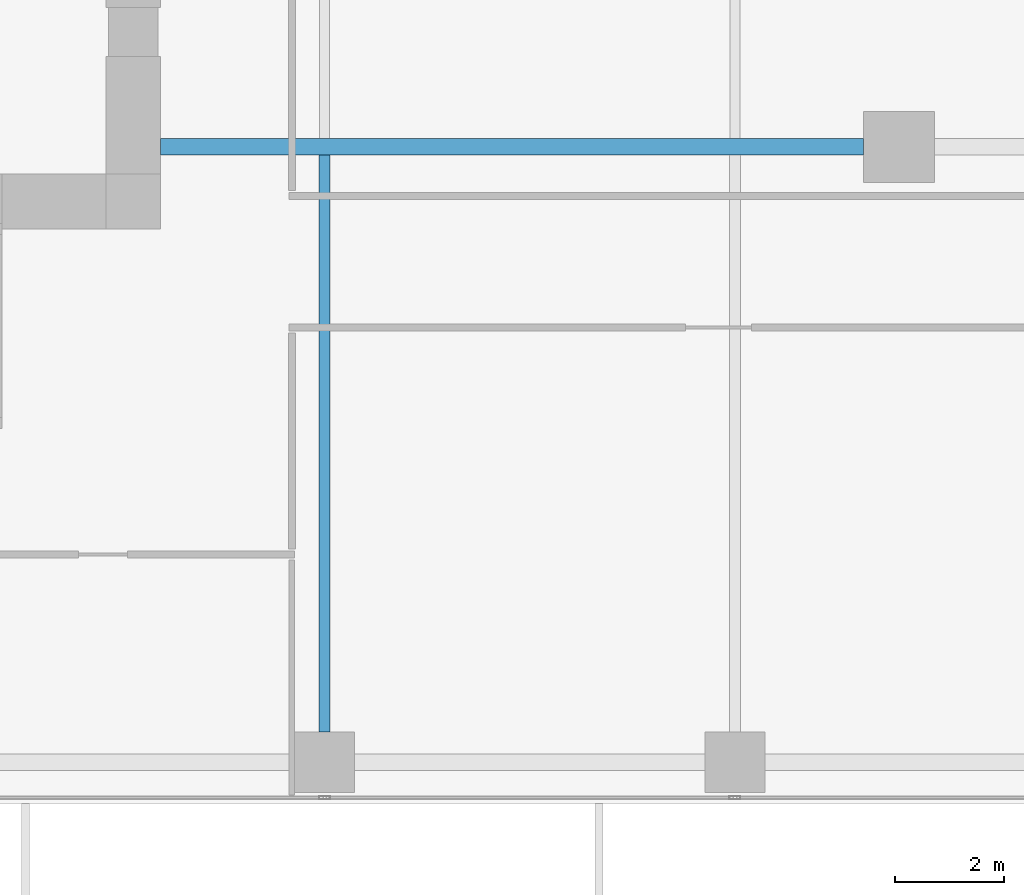
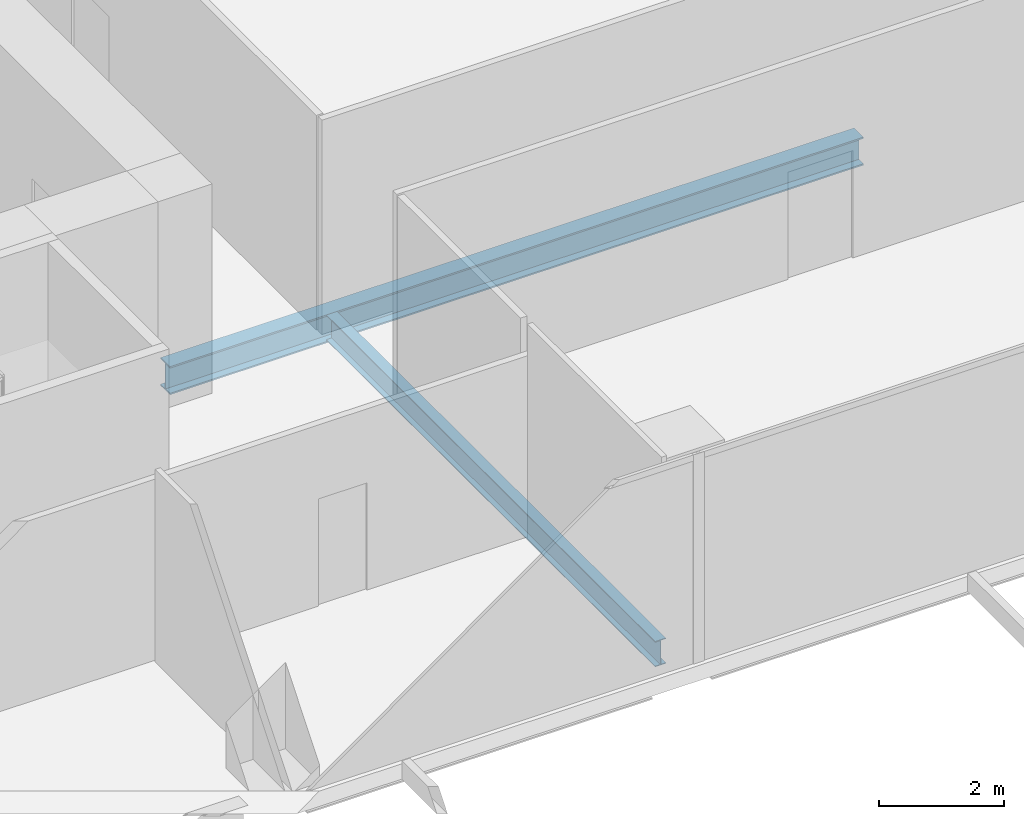
# One storey, part 6 of 34: 2 beams.
"""IFC4 building model written with IfcOpenShell, lengths in metres."""

import ifcopenshell
import ifcopenshell.guid

model = None  # the IFC model being written
_history = None  # IfcOwnerHistory: only IFC2X3 demands one
_inside = {}  # id of a spatial element -> (the spatial element, [elements in it])
_under = {}  # id of a project, library or spatial element -> (it, [spatial elements below it])
_declared = {}  # id of a project -> (the project, [libraries it declares])
_typed = {}  # id of a type object -> (the type object, [elements of that type])
_made_of = {}  # id of a material, layer set ... -> (it, [elements and type objects made of it])


def new_model(schema):
    """Start an empty IFC model of exactly this schema.

    Asked for "IFC4X3", IfcOpenShell would pick the latest addendum, in which some entities
    have other attributes; the version numbers below select the first issue.
    IFC2X3 requires an IfcOwnerHistory on every rooted entity: one is made here for all.
    """
    global model, _history
    if schema == "IFC4X3":
        model = ifcopenshell.file(schema_version=(4, 3, 0, 0))
    else:
        model = ifcopenshell.file(schema=schema)
    _inside.clear()
    _under.clear()
    _declared.clear()
    _typed.clear()
    _made_of.clear()
    _history = None
    if model.schema == "IFC2X3":
        org = make("IfcOrganization", Name="unknown")
        user = make(
            "IfcPersonAndOrganization",
            ThePerson=make("IfcPerson", FamilyName="unknown"),
            TheOrganization=org,
        )
        app = make(
            "IfcApplication",
            ApplicationDeveloper=org,
            Version="unknown",
            ApplicationFullName="unknown",
            ApplicationIdentifier="unknown",
        )
        _history = make(
            "IfcOwnerHistory",
            OwningUser=user,
            OwningApplication=app,
            ChangeAction="ADDED",
            CreationDate=0,
        )
    return model


def make(cls, **values):
    """One entity of the class cls with the attributes given. An attribute that is None is left unset."""
    return model.create_entity(
        cls, **{name: value for name, value in values.items() if value is not None}
    )


def rooted(cls, **values):
    """An entity with a GlobalId (a new one), such as an element, a storey or a relation."""
    return make(cls, GlobalId=ifcopenshell.guid.new(), OwnerHistory=_history, **values)


def si_unit(unit_type, name, prefix=None):
    """IfcSIUnit, for example si_unit("LENGTHUNIT", "METRE", prefix="MILLI")."""
    return make("IfcSIUnit", UnitType=unit_type, Prefix=prefix, Name=name)


def assignment(units):
    """IfcUnitAssignment: the units of a project."""
    return None if units is None else make("IfcUnitAssignment", Units=units)


def point(xyz):
    """IfcCartesianPoint."""
    return None if xyz is None else make("IfcCartesianPoint", Coordinates=xyz)


def direction(xyz):
    """IfcDirection."""
    return None if xyz is None else make("IfcDirection", DirectionRatios=xyz)


def frame(location, z_axis=None, x_axis=None):
    """IfcAxis2Placement3D, a coordinate frame: its origin and axes. An axis left out is left unset."""
    return make(
        "IfcAxis2Placement3D",
        Location=point(location),
        Axis=direction(z_axis),
        RefDirection=direction(x_axis),
    )


def frame_2d(location, x_axis=None):
    """IfcAxis2Placement2D, a coordinate frame in the plane: its origin and x axis."""
    return make(
        "IfcAxis2Placement2D", Location=point(location), RefDirection=direction(x_axis)
    )


def origin():
    """The frame at (0, 0, 0) with its axes left unset."""
    return frame((0.0, 0.0, 0.0))


def origin_2d():
    """The frame at (0, 0) in the plane with its x axis left unset."""
    return frame_2d((0.0, 0.0))


def place(relative_to, where):
    """IfcLocalPlacement: puts the frame where relative to a parent placement (None: the world)."""
    return make(
        "IfcLocalPlacement", PlacementRelTo=relative_to, RelativePlacement=where
    )


def context(
    kind, dimensions, precision=None, world=None, true_north=None, identifier=None
):
    """IfcGeometricRepresentationContext, for example the 3D "Model" context."""
    return make(
        "IfcGeometricRepresentationContext",
        ContextIdentifier=identifier,
        ContextType=kind,
        CoordinateSpaceDimension=dimensions,
        Precision=precision,
        WorldCoordinateSystem=world,
        TrueNorth=true_north,
    )


def subcontext(parent, identifier, kind, view, scale=None):
    """IfcGeometricRepresentationSubContext, for example "Body" below "Model"."""
    return make(
        "IfcGeometricRepresentationSubContext",
        ContextIdentifier=identifier,
        ContextType=kind,
        ParentContext=parent,
        TargetScale=scale,
        TargetView=view,
    )


def project(units=None, contexts=None):
    """IfcProject with its units and contexts."""
    return rooted(
        "IfcProject",
        Name="project",
        RepresentationContexts=contexts,
        UnitsInContext=assignment(units),
    )


def spatial(cls, under=None, at=None, **own):
    """A site, building, storey or space (cls), placed at a placement, below another one or the project."""
    s = rooted(cls, ObjectPlacement=at, **own)
    if under is not None:
        _under.setdefault(under.id(), (under, []))[1].append(s)
    return s


def profile(cls, at=None, kind="AREA", **sizes):
    """A parametric profile (cls). Its sizes go by their IFC names, for example OverallWidth=200.0."""
    return make(cls, ProfileType=kind, Position=at, **sizes)


def i_section(**sizes):
    """IfcIShapeProfileDef."""
    return profile("IfcIShapeProfileDef", **sizes)


def extrude(swept, where, along, depth):
    """IfcExtrudedAreaSolid: the profile swept, set in the frame where, extruded along a direction by depth."""
    return make(
        "IfcExtrudedAreaSolid",
        SweptArea=swept,
        Position=where,
        ExtrudedDirection=direction(along),
        Depth=depth,
    )


def shape(context_of_items, identifier, shape_type, items):
    """IfcShapeRepresentation: the items that make up one representation, for example the "Body"."""
    return make(
        "IfcShapeRepresentation",
        ContextOfItems=context_of_items,
        RepresentationIdentifier=identifier,
        RepresentationType=shape_type,
        Items=items,
    )


def source(mapping_origin, context_of_items, identifier, shape_type, items):
    """IfcRepresentationMap: a shape defined once, which mapped items show again and again."""
    return make(
        "IfcRepresentationMap",
        MappingOrigin=mapping_origin,
        MappedRepresentation=shape(context_of_items, identifier, shape_type, items),
    )


def transform(
    local_origin,
    x_axis=None,
    y_axis=None,
    z_axis=None,
    scale=None,
    scale2=None,
    scale3=None,
    uniform=True,
):
    """IfcCartesianTransformationOperator3D, or its non-uniform kind. x_axis, y_axis, z_axis: its Axis1, 2, 3."""
    if uniform:
        return make(
            "IfcCartesianTransformationOperator3D",
            Axis1=direction(x_axis),
            Axis2=direction(y_axis),
            LocalOrigin=point(local_origin),
            Scale=scale,
            Axis3=direction(z_axis),
        )
    return make(
        "IfcCartesianTransformationOperator3DnonUniform",
        Axis1=direction(x_axis),
        Axis2=direction(y_axis),
        LocalOrigin=point(local_origin),
        Scale=scale,
        Axis3=direction(z_axis),
        Scale2=scale2,
        Scale3=scale3,
    )


def mapped(mapping_source, mapping_target):
    """IfcMappedItem: shows the shape of a source again, moved by a transform."""
    return make(
        "IfcMappedItem", MappingSource=mapping_source, MappingTarget=mapping_target
    )


def material(Name=None, Category=None):
    """IfcMaterial."""
    return make("IfcMaterial", Name=Name, Category=Category)


def material_profile(
    of_material, cross_section, Name=None, Category=None, Priority=None
):
    """IfcMaterialProfile: a cross section and its material."""
    return make(
        "IfcMaterialProfile",
        Name=Name,
        Material=of_material,
        Profile=cross_section,
        Priority=Priority,
        Category=Category,
    )


def profile_set(profiles, Name=None, composite=None):
    """IfcMaterialProfileSet."""
    return make(
        "IfcMaterialProfileSet",
        Name=Name,
        MaterialProfiles=profiles,
        CompositeProfile=composite,
    )


def made_of(thing, what):
    """Note that an element or type object is made of a material, layer set ...; save() writes the relation."""
    if what is not None:
        _made_of.setdefault(what.id(), (what, []))[1].append(thing)
    return thing


def type_object(cls, material=None, **own):
    """A type object (cls), such as IfcWallType, which elements share."""
    return made_of(rooted(cls, **own), material)


def element(
    cls,
    number,
    at=None,
    inside=None,
    cuts=None,
    type_object=None,
    material=None,
    context=None,
    identifier="Body",
    shape_type=None,
    held_by="IfcProductDefinitionShape",
    body=None,
    shapes=None,
    **own,
):
    """One element of the class cls, such as IfcWall. Its Tag is "e" and its number.

    at: its placement. inside: the storey or other place that contains it. cuts: it is an
    opening in that element (IfcRelVoidsElement). A single representation is given by context,
    identifier, shape_type and body (its items); several are given by shapes. held_by: the class
    of the entity that holds the representations. save() writes the other relations.
    """
    e = rooted(cls, Tag="e%d" % number, ObjectPlacement=at, **own)
    if body is not None:
        shapes = [shape(context, identifier, shape_type, body)]
    if shapes is not None:
        e.Representation = make(held_by, Representations=shapes)
    if inside is not None:
        _inside.setdefault(inside.id(), (inside, []))[1].append(e)
    if cuts is not None:
        rooted(
            "IfcRelVoidsElement", RelatingBuildingElement=cuts, RelatedOpeningElement=e
        )
    if type_object is not None:
        _typed.setdefault(type_object.id(), (type_object, []))[1].append(e)
    return made_of(e, material)


def aggregate(whole, parts):
    """IfcRelAggregates: a whole, such as a stair, and the parts it consists of."""
    return rooted("IfcRelAggregates", RelatingObject=whole, RelatedObjects=parts)


def save(model, path):
    """Write the relations noted so far, then the file.

    IfcRelAggregates (storeys below a building ...), IfcRelContainedInSpatialStructure (elements
    in a storey), IfcRelDefinesByType, IfcRelAssociatesMaterial and IfcRelDeclares: one each for
    every whole, place, type object, material and project.
    """
    for whole, parts in _under.values():
        aggregate(whole, parts)
    for where, things in _inside.values():
        rooted(
            "IfcRelContainedInSpatialStructure",
            RelatedElements=things,
            RelatingStructure=where,
        )
    for kind, things in _typed.values():
        rooted("IfcRelDefinesByType", RelatedObjects=things, RelatingType=kind)
    for what, things in _made_of.values():
        rooted("IfcRelAssociatesMaterial", RelatedObjects=things, RelatingMaterial=what)
    for by, libraries in _declared.values():
        rooted("IfcRelDeclares", RelatingContext=by, RelatedDefinitions=libraries)
    model.write(path)


model = new_model("IFC4")

# Units and contexts
model_context = context("Model", 3, precision=1e-05, world=origin(), true_north=direction((0.0, 1.0)))
body_context = subcontext(model_context, "Body", "Model", "MODEL_VIEW")
ifc_project = project(units=[si_unit("LENGTHUNIT", "METRE"), si_unit("AREAUNIT", "SQUARE_METRE"), si_unit("VOLUMEUNIT", "CUBIC_METRE"), si_unit("PLANEANGLEUNIT", "RADIAN"), si_unit("MASSUNIT", "GRAM", prefix="KILO")], contexts=[model_context])

# Site, building, storey
site_placement = place(None, origin())
site = spatial("IfcSite", under=ifc_project, at=site_placement, CompositionType="ELEMENT")
building_placement = place(site_placement, origin())
building = spatial("IfcBuilding", under=site, at=building_placement, Name="Khomas Fold Tower", CompositionType="ELEMENT")
storey_placement = place(building_placement, frame((0.0, 0.0, 123.5)))
storey = spatial("IfcBuildingStorey", under=building, at=storey_placement, Name="L26", CompositionType="ELEMENT", Elevation=123.5)

# Beams
ifc_material_1 = material(Name="Steel S355", Category="steel")
ifc_material_profile_1 = material_profile(ifc_material_1, i_section(OverallWidth=0.300048828125, OverallDepth=0.550048828125, WebThickness=0.014892578125, FlangeThickness=0.029052734375, at=origin_2d()), Name="HE 550 B")
ifc_profile_set_1 = profile_set([ifc_material_profile_1], Name="Steel S355")
beam_type_1 = type_object("IfcBeamType", Name="HE 550 B beam GB4", PredefinedType="BEAM", material=ifc_profile_set_1)
shared_shape_1 = source(origin(), body_context, "Body", "SweptSolid", [
    extrude(i_section(OverallWidth=0.300048828125, OverallDepth=0.550048828125, WebThickness=0.014892578125, FlangeThickness=0.029052734375, at=origin_2d()), origin(), (0.0, 0.0, 1.0), 12.85009765625),
])
beam_1_placement = place(storey_placement, frame((24.0, 13.5, -0.574951171875), z_axis=(1.0, 0.0, 0.0), x_axis=(0.0, 1.0, 0.0)))
element("IfcBeam", 1, at=beam_1_placement, inside=storey, type_object=beam_type_1, Name="GB4", PredefinedType="BEAM", context=body_context, shape_type="MappedRepresentation", body=[
    mapped(shared_shape_1, transform((0.0, 0.0, 0.0))),
])
ifc_material_2 = material(Name="Steel S355", Category="steel")
ifc_material_profile_2 = material_profile(ifc_material_2, i_section(OverallWidth=0.199951171875, OverallDepth=0.5, WebThickness=0.01025390625, FlangeThickness=0.01611328125, at=origin_2d()), Name="IPE 500")
ifc_profile_set_2 = profile_set([ifc_material_profile_2], Name="Steel S355")
beam_type_2 = type_object("IfcBeamType", Name="IPE 500 beam JB5", PredefinedType="BEAM", material=ifc_profile_set_2)
shared_shape_2 = source(origin(), body_context, "Body", "SweptSolid", [
    extrude(i_section(OverallWidth=0.199951171875, OverallDepth=0.5, WebThickness=0.01025390625, FlangeThickness=0.01611328125, at=origin_2d()), origin(), (0.0, 0.0, 1.0), 10.550048828125),
])
beam_2_placement = place(storey_placement, frame((27.0, 2.800048828125, -0.550048828125), z_axis=(0.0, 1.0, 0.0), x_axis=(-1.0, 0.0, 0.0)))
element("IfcBeam", 2, at=beam_2_placement, inside=storey, type_object=beam_type_2, Name="JB5", PredefinedType="BEAM", context=body_context, shape_type="MappedRepresentation", body=[
    mapped(shared_shape_2, transform((0.0, 0.0, 0.0))),
])

save(model, "model.ifc")
